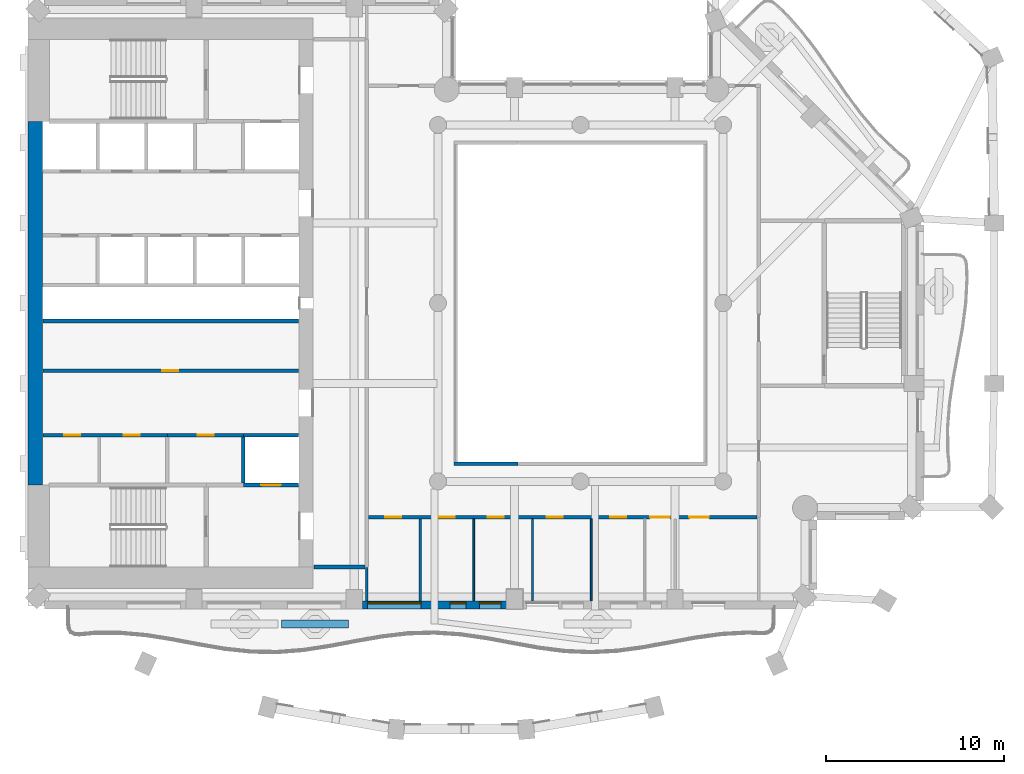
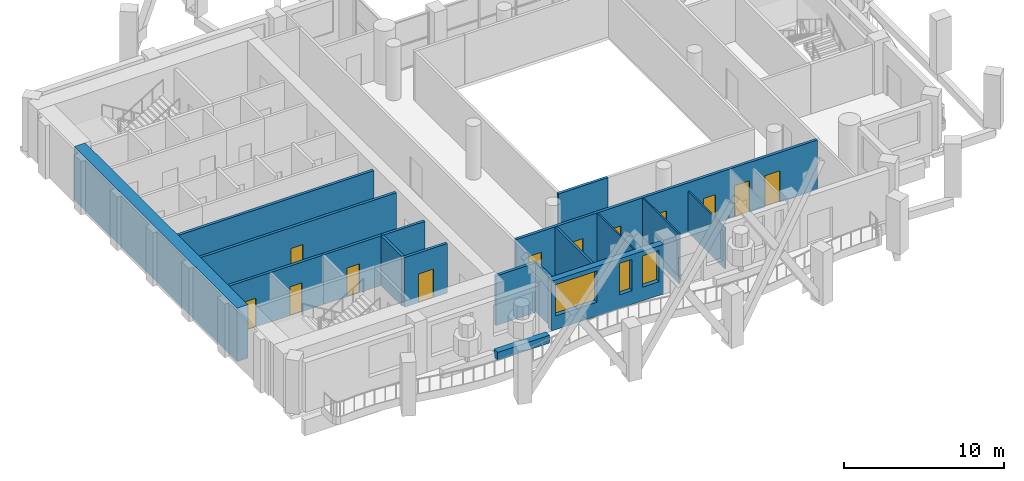
# One storey, part 4 of 16: 18 walls, 12 doors, 3 windows, 15 openings.
"""IFC4 building model written with IfcOpenShell, lengths in metres."""

from ifc_helpers import new_model, si_unit, direction, frame, frame_2d, origin, place, context, subcontext, project, spatial, rectangle, extrude, material, layer, layer_set, type_object, element, fill, save


model = new_model("IFC4")

# Units and contexts
model_context = context("Model", 3, precision=1e-05, world=origin(), true_north=direction((0.0, 1.0)))
body_context = subcontext(model_context, "Body", "Model", "MODEL_VIEW")
ifc_project = project(units=[si_unit("LENGTHUNIT", "METRE"), si_unit("AREAUNIT", "SQUARE_METRE"), si_unit("VOLUMEUNIT", "CUBIC_METRE"), si_unit("PLANEANGLEUNIT", "RADIAN"), si_unit("MASSUNIT", "GRAM", prefix="KILO")], contexts=[model_context])

# Site, building, storey
site_placement = place(None, origin())
site = spatial("IfcSite", under=ifc_project, at=site_placement, CompositionType="ELEMENT")
building_placement = place(site_placement, origin())
building = spatial("IfcBuilding", under=site, at=building_placement, Name="Cypress Arch Tower", CompositionType="ELEMENT")
storey_placement = place(building_placement, frame((0.0, 0.0, 181.0)))
storey = spatial("IfcBuildingStorey", under=building, at=storey_placement, Name="L39", CompositionType="ELEMENT", Elevation=181.0)

# Wall
ifc_material_1 = material(Name="Concrete C40/50, waterproofed", Category="concrete")
ifc_layer_1 = layer(ifc_material_1, 0.449951171875)
ifc_layer_set_1 = layer_set([ifc_layer_1], Name="Balcony planter wall PW450")
wall_type_1 = type_object("IfcWallType", Name="Balcony planter wall PW450", PredefinedType="SOLIDWALL", material=ifc_layer_set_1)
wall_1_placement = place(storey_placement, frame((-15.77001953125, -18.0, 0.0), z_axis=(0.0, 0.0, 1.0), x_axis=(1.0, 0.0, 0.0)))
element("IfcWall", 1, at=wall_1_placement, inside=storey, type_object=wall_type_1, Name="Balcony planter wall L39-B01.2", PredefinedType="SOLIDWALL", context=body_context, shape_type="SweptSolid", body=[
    extrude(rectangle(XDim=3.760009765625, YDim=0.449951171875, at=frame_2d((1.8798828125, 0.0))), origin(), (0.0, 0.0, 1.0), 0.60009765625),
])

# Wall, openings, windows
ifc_material_2 = material(Name="Brick (red buff blend)", Category="masonry")
ifc_layer_2 = layer(ifc_material_2, 0.449951171875)
ifc_layer_set_2 = layer_set([ifc_layer_2], Name="Brick pier and spandrel wall BW450")
wall_type_2 = type_object("IfcWallType", Name="Brick pier and spandrel wall BW450", PredefinedType="SOLIDWALL", material=ifc_layer_set_2)
wall_2_placement = place(storey_placement, frame((-11.25, -16.925048828125, 0.0), z_axis=(0.0, 0.0, 1.0), x_axis=(1.0, 0.0, 0.0)))
wall_2 = element("IfcWall", 2, at=wall_2_placement, inside=storey, type_object=wall_type_2, Name="Brick wall L39 B01.2", PredefinedType="SOLIDWALL", context=body_context, shape_type="SweptSolid", body=[
    extrude(rectangle(XDim=8.10009765625, YDim=0.449951171875, at=frame_2d((4.050048828125, 0.0))), origin(), (0.0, 0.0, 1.0), 3.800048828125),
])
opening_1_placement = place(wall_2_placement, frame((0.300048828125, 0.0, 1.050048828125)))
opening_1 = element("IfcOpeningElement", 3, at=opening_1_placement, cuts=wall_2, Name="Opening W300OD", PredefinedType="OPENING", context=body_context, shape_type="SweptSolid", body=[
    extrude(rectangle(XDim=3.0, YDim=2.39990234375, at=frame_2d((1.5, 1.199951171875))), frame((0.0, 0.23486328125, 0.0), z_axis=(0.0, -1.0, 0.0), x_axis=(1.0, 0.0, 0.0)), (0.0, 0.0, 1.0), 0.469970703125),
])
opening_2_placement = place(wall_2_placement, frame((4.925048828125, 0.0, 1.050048828125)))
opening_2 = element("IfcOpeningElement", 4, at=opening_2_placement, cuts=wall_2, Name="Opening W090OD", PredefinedType="OPENING", context=body_context, shape_type="SweptSolid", body=[
    extrude(rectangle(XDim=0.89990234375, YDim=2.39990234375, at=frame_2d((0.449951171875, 1.199951171875))), frame((0.0, 0.23486328125, 0.0), z_axis=(0.0, -1.0, 0.0), x_axis=(1.0, 0.0, 0.0)), (0.0, 0.0, 1.0), 0.469970703125),
])
opening_3_placement = place(wall_2_placement, frame((6.574951171875, 0.0, 1.050048828125)))
opening_3 = element("IfcOpeningElement", 5, at=opening_3_placement, cuts=wall_2, Name="Opening W120OD", PredefinedType="OPENING", context=body_context, shape_type="SweptSolid", body=[
    extrude(rectangle(XDim=1.199951171875, YDim=2.39990234375, at=frame_2d((0.60009765625, 1.199951171875))), frame((0.0, 0.23486328125, 0.0), z_axis=(0.0, -1.0, 0.0), x_axis=(1.0, 0.0, 0.0)), (0.0, 0.0, 1.0), 0.469970703125),
])
ifc_material_3 = material(Name="Anodised aluminium, bronze finish, laminated low-emissivity double glazing, large-missile impact rated", Category="aluminium")
window_type_1 = type_object("IfcWindowType", Name="Window Office 1200x2400 debris-rated", PartitioningType="SINGLE_PANEL", PredefinedType="WINDOW", material=ifc_material_3)
window_1_placement = place(opening_3_placement, origin())
window_1 = element("IfcWindow", 6, at=window_1_placement, inside=storey, type_object=window_type_1, Name="Window L39 B01.2.2b", OverallHeight=2.39990234375, OverallWidth=1.199951171875, PartitioningType="SINGLE_PANEL", PredefinedType="WINDOW", context=body_context, shape_type="SweptSolid", body=[
    extrude(rectangle(XDim=1.199951171875, YDim=2.39990234375, at=frame_2d((0.60009765625, 1.199951171875))), frame((0.0, 0.135009765625, 0.0), z_axis=(0.0, -1.0, 0.0), x_axis=(1.0, 0.0, 0.0)), (0.0, 0.0, 1.0), 0.06005859375),
])
fill(opening_3, window_1)
ifc_material_4 = material(Name="Anodised aluminium, bronze finish, laminated low-emissivity double glazing, large-missile impact rated", Category="aluminium")
window_type_2 = type_object("IfcWindowType", Name="Window Office 3000x2400 debris-rated", PartitioningType="SINGLE_PANEL", PredefinedType="WINDOW", material=ifc_material_4)
window_2_placement = place(opening_1_placement, origin())
window_2 = element("IfcWindow", 7, at=window_2_placement, inside=storey, type_object=window_type_2, Name="Window L39 B01.2.1", OverallHeight=2.39990234375, OverallWidth=3.0, PartitioningType="SINGLE_PANEL", PredefinedType="WINDOW", context=body_context, shape_type="SweptSolid", body=[
    extrude(rectangle(XDim=3.0, YDim=2.39990234375, at=frame_2d((1.5, 1.199951171875))), frame((0.0, 0.135009765625, 0.0), z_axis=(0.0, -1.0, 0.0), x_axis=(1.0, 0.0, 0.0)), (0.0, 0.0, 1.0), 0.06005859375),
])
fill(opening_1, window_2)
ifc_material_5 = material(Name="Anodised aluminium, bronze finish, laminated low-emissivity double glazing, large-missile impact rated", Category="aluminium")
window_type_3 = type_object("IfcWindowType", Name="Window Office 900x2400 debris-rated", PartitioningType="SINGLE_PANEL", PredefinedType="WINDOW", material=ifc_material_5)
window_3_placement = place(opening_2_placement, origin())
window_3 = element("IfcWindow", 8, at=window_3_placement, inside=storey, type_object=window_type_3, Name="Window L39 B01.2.2", OverallHeight=2.39990234375, OverallWidth=0.89990234375, PartitioningType="SINGLE_PANEL", PredefinedType="WINDOW", context=body_context, shape_type="SweptSolid", body=[
    extrude(rectangle(XDim=0.89990234375, YDim=2.39990234375, at=frame_2d((0.449951171875, 1.199951171875))), frame((0.0, 0.135009765625, 0.0), z_axis=(0.0, -1.0, 0.0), x_axis=(1.0, 0.0, 0.0)), (0.0, 0.0, 1.0), 0.06005859375),
])
fill(opening_2, window_3)

# Wall
ifc_material_6 = material(Name="Concrete C70/85", Category="concrete")
ifc_layer_3 = layer(ifc_material_6, 0.800048828125)
ifc_layer_set_3 = layer_set([ifc_layer_3], Name="Core wall CW800 C70/85")
wall_type_3 = type_object("IfcWallType", Name="Core wall CW800 C70/85", PredefinedType="SHEAR", material=ifc_layer_set_3)
wall_3_placement = place(storey_placement, frame((-29.60009765625, -10.199951171875, 0.0), z_axis=(0.0, 0.0, 1.0), x_axis=(0.0, 1.0, 0.0)))
element("IfcWall", 9, at=wall_3_placement, inside=storey, type_object=wall_type_3, Name="Core wall", PredefinedType="SHEAR", context=body_context, shape_type="SweptSolid", body=[
    extrude(rectangle(XDim=20.39990234375, YDim=0.800048828125, at=frame_2d((10.199951171875, 0.0))), origin(), (0.0, 0.0, 1.0), 4.10009765625),
])

# Wall, openings, doors
ifc_material_7 = material(Name="Concrete blockwork, plastered, rated", Category="masonry")
ifc_layer_4 = layer(ifc_material_7, 0.199951171875)
ifc_layer_set_4 = layer_set([ifc_layer_4], Name="Corridor wall FW200")
wall_type_4 = type_object("IfcWallType", Name="Corridor wall FW200", PredefinedType="PARTITIONING", material=ifc_layer_set_4)
wall_4_placement = place(storey_placement, frame((-29.169921875, -7.39990234375, 0.0), z_axis=(0.0, 0.0, 1.0), x_axis=(1.0, 0.0, 0.0)))
wall_4 = element("IfcWall", 10, at=wall_4_placement, inside=storey, type_object=wall_type_4, Name="Corridor wall", PredefinedType="PARTITIONING", context=body_context, shape_type="SweptSolid", body=[
    extrude(rectangle(XDim=6.989990234375, YDim=0.199951171875, at=frame_2d((3.4951171875, 0.0))), origin(), (0.0, 0.0, 1.0), 3.800048828125),
])
opening_4_placement = place(wall_4_placement, frame((1.199951171875, 0.0, 0.0)))
opening_4 = element("IfcOpeningElement", 11, at=opening_4_placement, cuts=wall_4, Name="Opening D05", PredefinedType="OPENING", context=body_context, shape_type="SweptSolid", body=[
    extrude(rectangle(XDim=0.89990234375, YDim=2.199951171875, at=frame_2d((0.449951171875, 1.10009765625))), frame((0.0, 0.10986328125, 0.0), z_axis=(0.0, -1.0, 0.0), x_axis=(1.0, 0.0, 0.0)), (0.0, 0.0, 1.0), 0.219970703125),
])
opening_5_placement = place(wall_4_placement, frame((4.550048828125, 0.0, 0.0)))
opening_5 = element("IfcOpeningElement", 12, at=opening_5_placement, cuts=wall_4, Name="Opening D05", PredefinedType="OPENING", context=body_context, shape_type="SweptSolid", body=[
    extrude(rectangle(XDim=0.89990234375, YDim=2.199951171875, at=frame_2d((0.449951171875, 1.10009765625))), frame((0.0, 0.10986328125, 0.0), z_axis=(0.0, -1.0, 0.0), x_axis=(1.0, 0.0, 0.0)), (0.0, 0.0, 1.0), 0.219970703125),
])
ifc_material_8 = material(Name="Timber flush door", Category="wood")
door_type_1 = type_object("IfcDoorType", Name="Service door D05 900x2200", OperationType="SINGLE_SWING_LEFT", PredefinedType="DOOR", material=ifc_material_8)
door_1_placement = place(opening_4_placement, origin())
door_1 = element("IfcDoor", 13, at=door_1_placement, inside=storey, type_object=door_type_1, Name="Service door", OperationType="SINGLE_SWING_LEFT", OverallHeight=2.199951171875, OverallWidth=0.89990234375, PredefinedType="DOOR", context=body_context, shape_type="SweptSolid", body=[
    extrude(rectangle(XDim=0.89990234375, YDim=2.199951171875, at=frame_2d((0.449951171875, 1.10009765625))), frame((0.0, 0.02490234375, 0.0), z_axis=(0.0, -1.0, 0.0), x_axis=(1.0, 0.0, 0.0)), (0.0, 0.0, 1.0), 0.050048828125),
])
fill(opening_4, door_1)
door_2_placement = place(opening_5_placement, origin())
door_2 = element("IfcDoor", 14, at=door_2_placement, inside=storey, type_object=door_type_1, Name="Service door", OperationType="SINGLE_SWING_RIGHT", OverallHeight=2.199951171875, OverallWidth=0.89990234375, PredefinedType="DOOR", context=body_context, shape_type="SweptSolid", body=[
    extrude(rectangle(XDim=0.89990234375, YDim=2.199951171875, at=frame_2d((0.449951171875, 1.10009765625))), frame((0.0, 0.02490234375, 0.0), z_axis=(0.0, -1.0, 0.0), x_axis=(1.0, 0.0, 0.0)), (0.0, 0.0, 1.0), 0.050048828125),
])
fill(opening_5, door_2)

# Wall, opening, door
wall_5_placement = place(storey_placement, frame((-29.169921875, -3.800048828125, 0.0), z_axis=(0.0, 0.0, 1.0), x_axis=(1.0, 0.0, 0.0)))
wall_5 = element("IfcWall", 15, at=wall_5_placement, inside=storey, type_object=wall_type_4, Name="Corridor wall", PredefinedType="PARTITIONING", context=body_context, shape_type="SweptSolid", body=[
    extrude(rectangle(XDim=14.33984375, YDim=0.199951171875, at=frame_2d((7.169921875, 0.0))), origin(), (0.0, 0.0, 1.0), 3.800048828125),
])
opening_6_placement = place(wall_5_placement, frame((6.699951171875, 0.0, 0.0)))
opening_6 = element("IfcOpeningElement", 16, at=opening_6_placement, cuts=wall_5, Name="Opening D05", PredefinedType="OPENING", context=body_context, shape_type="SweptSolid", body=[
    extrude(rectangle(XDim=0.89990234375, YDim=2.199951171875, at=frame_2d((0.449951171875, 1.10009765625))), frame((0.0, 0.10986328125, 0.0), z_axis=(0.0, -1.0, 0.0), x_axis=(1.0, 0.0, 0.0)), (0.0, 0.0, 1.0), 0.219970703125),
])
door_3_placement = place(opening_6_placement, origin())
door_3 = element("IfcDoor", 17, at=door_3_placement, inside=storey, type_object=door_type_1, Name="Service door", OperationType="SINGLE_SWING_LEFT", OverallHeight=2.199951171875, OverallWidth=0.89990234375, PredefinedType="DOOR", context=body_context, shape_type="SweptSolid", body=[
    extrude(rectangle(XDim=0.89990234375, YDim=2.199951171875, at=frame_2d((0.449951171875, 1.10009765625))), frame((0.0, 0.02490234375, 0.0), z_axis=(0.0, -1.0, 0.0), x_axis=(1.0, 0.0, 0.0)), (0.0, 0.0, 1.0), 0.050048828125),
])
fill(opening_6, door_3)

# Wall
wall_6_placement = place(storey_placement, frame((-13.969970703125, -14.800048828125, 0.0), z_axis=(0.0, 0.0, 1.0), x_axis=(1.0, 0.0, 0.0)))
element("IfcWall", 18, at=wall_6_placement, inside=storey, type_object=wall_type_4, Name="Corridor wall", PredefinedType="PARTITIONING", context=body_context, shape_type="SweptSolid", body=[
    extrude(rectangle(XDim=2.869873046875, YDim=0.199951171875, at=frame_2d((1.43505859375, 0.0))), origin(), (0.0, 0.0, 1.0), 3.800048828125),
])

# Wall, openings, doors
wall_7_placement = place(storey_placement, frame((-10.89990234375, -12.0, 0.0), z_axis=(0.0, 0.0, 1.0), x_axis=(1.0, 0.0, 0.0)))
wall_7 = element("IfcWall", 19, at=wall_7_placement, inside=storey, type_object=wall_type_4, Name="Corridor wall", PredefinedType="PARTITIONING", context=body_context, shape_type="SweptSolid", body=[
    extrude(rectangle(XDim=21.7998046875, YDim=0.199951171875, at=frame_2d((10.89990234375, 0.0))), origin(), (0.0, 0.0, 1.0), 3.800048828125),
])
opening_7_placement = place(wall_7_placement, frame((0.949951171875, 0.0, 0.0)))
opening_7 = element("IfcOpeningElement", 20, at=opening_7_placement, cuts=wall_7, Name="Opening D05", PredefinedType="OPENING", context=body_context, shape_type="SweptSolid", body=[
    extrude(rectangle(XDim=0.89990234375, YDim=2.199951171875, at=frame_2d((0.449951171875, 1.10009765625))), frame((0.0, 0.10986328125, 0.0), z_axis=(0.0, -1.0, 0.0), x_axis=(1.0, 0.0, 0.0)), (0.0, 0.0, 1.0), 0.219970703125),
])
opening_8_placement = place(wall_7_placement, frame((3.949951171875, 0.0, 0.0)))
opening_8 = element("IfcOpeningElement", 21, at=opening_8_placement, cuts=wall_7, Name="Opening D05", PredefinedType="OPENING", context=body_context, shape_type="SweptSolid", body=[
    extrude(rectangle(XDim=0.89990234375, YDim=2.199951171875, at=frame_2d((0.449951171875, 1.10009765625))), frame((0.0, 0.10986328125, 0.0), z_axis=(0.0, -1.0, 0.0), x_axis=(1.0, 0.0, 0.0)), (0.0, 0.0, 1.0), 0.219970703125),
])
opening_9_placement = place(wall_7_placement, frame((6.699951171875, 0.0, 0.0)))
opening_9 = element("IfcOpeningElement", 22, at=opening_9_placement, cuts=wall_7, Name="Opening D03", PredefinedType="OPENING", context=body_context, shape_type="SweptSolid", body=[
    extrude(rectangle(XDim=0.89990234375, YDim=2.199951171875, at=frame_2d((0.449951171875, 1.10009765625))), frame((0.0, 0.10986328125, 0.0), z_axis=(0.0, -1.0, 0.0), x_axis=(1.0, 0.0, 0.0)), (0.0, 0.0, 1.0), 0.219970703125),
])
opening_10_placement = place(wall_7_placement, frame((10.0, 0.0, 0.0)))
opening_10 = element("IfcOpeningElement", 23, at=opening_10_placement, cuts=wall_7, Name="Opening D03", PredefinedType="OPENING", context=body_context, shape_type="SweptSolid", body=[
    extrude(rectangle(XDim=0.89990234375, YDim=2.199951171875, at=frame_2d((0.449951171875, 1.10009765625))), frame((0.0, 0.10986328125, 0.0), z_axis=(0.0, -1.0, 0.0), x_axis=(1.0, 0.0, 0.0)), (0.0, 0.0, 1.0), 0.219970703125),
])
opening_11_placement = place(wall_7_placement, frame((13.550048828125, 0.0, 0.0)))
opening_11 = element("IfcOpeningElement", 24, at=opening_11_placement, cuts=wall_7, Name="Opening D03", PredefinedType="OPENING", context=body_context, shape_type="SweptSolid", body=[
    extrude(rectangle(XDim=0.89990234375, YDim=2.199951171875, at=frame_2d((0.449951171875, 1.10009765625))), frame((0.0, 0.10986328125, 0.0), z_axis=(0.0, -1.0, 0.0), x_axis=(1.0, 0.0, 0.0)), (0.0, 0.0, 1.0), 0.219970703125),
])
opening_12_placement = place(wall_7_placement, frame((15.800048828125, 0.0, 0.0)))
opening_12 = element("IfcOpeningElement", 25, at=opening_12_placement, cuts=wall_7, Name="Opening D01", PredefinedType="OPENING", context=body_context, shape_type="SweptSolid", body=[
    extrude(rectangle(XDim=1.10009765625, YDim=2.39990234375, at=frame_2d((0.550048828125, 1.199951171875))), frame((0.0, 0.10986328125, 0.0), z_axis=(0.0, -1.0, 0.0), x_axis=(1.0, 0.0, 0.0)), (0.0, 0.0, 1.0), 0.219970703125),
])
opening_13_placement = place(wall_7_placement, frame((18.0, 0.0, 0.0)))
opening_13 = element("IfcOpeningElement", 26, at=opening_13_placement, cuts=wall_7, Name="Opening D01", PredefinedType="OPENING", context=body_context, shape_type="SweptSolid", body=[
    extrude(rectangle(XDim=1.10009765625, YDim=2.39990234375, at=frame_2d((0.550048828125, 1.199951171875))), frame((0.0, 0.10986328125, 0.0), z_axis=(0.0, -1.0, 0.0), x_axis=(1.0, 0.0, 0.0)), (0.0, 0.0, 1.0), 0.219970703125),
])
ifc_material_9 = material(Name="Timber flush door, moisture resistant", Category="wood")
door_type_2 = type_object("IfcDoorType", Name="Bathroom door D03 900x2200", OperationType="SINGLE_SWING_LEFT", PredefinedType="DOOR", material=ifc_material_9)
door_4_placement = place(opening_9_placement, origin())
door_4 = element("IfcDoor", 27, at=door_4_placement, inside=storey, type_object=door_type_2, Name="Bathroom door", OperationType="SINGLE_SWING_RIGHT", OverallHeight=2.199951171875, OverallWidth=0.89990234375, PredefinedType="DOOR", context=body_context, shape_type="SweptSolid", body=[
    extrude(rectangle(XDim=0.89990234375, YDim=2.199951171875, at=frame_2d((0.449951171875, 1.10009765625))), frame((0.0, 0.02490234375, 0.0), z_axis=(0.0, -1.0, 0.0), x_axis=(1.0, 0.0, 0.0)), (0.0, 0.0, 1.0), 0.050048828125),
])
fill(opening_9, door_4)
door_5_placement = place(opening_10_placement, origin())
door_5 = element("IfcDoor", 28, at=door_5_placement, inside=storey, type_object=door_type_2, Name="Bathroom door", OperationType="SINGLE_SWING_RIGHT", OverallHeight=2.199951171875, OverallWidth=0.89990234375, PredefinedType="DOOR", context=body_context, shape_type="SweptSolid", body=[
    extrude(rectangle(XDim=0.89990234375, YDim=2.199951171875, at=frame_2d((0.449951171875, 1.10009765625))), frame((0.0, 0.02490234375, 0.0), z_axis=(0.0, -1.0, 0.0), x_axis=(1.0, 0.0, 0.0)), (0.0, 0.0, 1.0), 0.050048828125),
])
fill(opening_10, door_5)
door_6_placement = place(opening_11_placement, origin())
door_6 = element("IfcDoor", 29, at=door_6_placement, inside=storey, type_object=door_type_2, Name="Bathroom door", OperationType="SINGLE_SWING_RIGHT", OverallHeight=2.199951171875, OverallWidth=0.89990234375, PredefinedType="DOOR", context=body_context, shape_type="SweptSolid", body=[
    extrude(rectangle(XDim=0.89990234375, YDim=2.199951171875, at=frame_2d((0.449951171875, 1.10009765625))), frame((0.0, 0.02490234375, 0.0), z_axis=(0.0, -1.0, 0.0), x_axis=(1.0, 0.0, 0.0)), (0.0, 0.0, 1.0), 0.050048828125),
])
fill(opening_11, door_6)
door_7_placement = place(opening_7_placement, origin())
door_7 = element("IfcDoor", 30, at=door_7_placement, inside=storey, type_object=door_type_1, Name="Service door", OperationType="SINGLE_SWING_RIGHT", OverallHeight=2.199951171875, OverallWidth=0.89990234375, PredefinedType="DOOR", context=body_context, shape_type="SweptSolid", body=[
    extrude(rectangle(XDim=0.89990234375, YDim=2.199951171875, at=frame_2d((0.449951171875, 1.10009765625))), frame((0.0, 0.02490234375, 0.0), z_axis=(0.0, -1.0, 0.0), x_axis=(1.0, 0.0, 0.0)), (0.0, 0.0, 1.0), 0.050048828125),
])
fill(opening_7, door_7)
door_8_placement = place(opening_8_placement, origin())
door_8 = element("IfcDoor", 31, at=door_8_placement, inside=storey, type_object=door_type_1, Name="Service door", OperationType="SINGLE_SWING_RIGHT", OverallHeight=2.199951171875, OverallWidth=0.89990234375, PredefinedType="DOOR", context=body_context, shape_type="SweptSolid", body=[
    extrude(rectangle(XDim=0.89990234375, YDim=2.199951171875, at=frame_2d((0.449951171875, 1.10009765625))), frame((0.0, 0.02490234375, 0.0), z_axis=(0.0, -1.0, 0.0), x_axis=(1.0, 0.0, 0.0)), (0.0, 0.0, 1.0), 0.050048828125),
])
fill(opening_8, door_8)
ifc_material_10 = material(Name="Timber flush door, fire resisting, self-closing", Category="wood")
door_type_3 = type_object("IfcDoorType", Name="Unit entrance door D01 1100x2400", OperationType="SINGLE_SWING_LEFT", PredefinedType="DOOR", material=ifc_material_10)
door_9_placement = place(opening_12_placement, origin())
door_9 = element("IfcDoor", 32, at=door_9_placement, inside=storey, type_object=door_type_3, Name="Unit entrance door", OperationType="SINGLE_SWING_LEFT", OverallHeight=2.39990234375, OverallWidth=1.10009765625, PredefinedType="DOOR", context=body_context, shape_type="SweptSolid", body=[
    extrude(rectangle(XDim=1.10009765625, YDim=2.39990234375, at=frame_2d((0.550048828125, 1.199951171875))), frame((0.0, 0.02490234375, 0.0), z_axis=(0.0, -1.0, 0.0), x_axis=(1.0, 0.0, 0.0)), (0.0, 0.0, 1.0), 0.050048828125),
])
fill(opening_12, door_9)
door_10_placement = place(opening_13_placement, origin())
door_10 = element("IfcDoor", 33, at=door_10_placement, inside=storey, type_object=door_type_3, Name="Unit entrance door", OperationType="SINGLE_SWING_RIGHT", OverallHeight=2.39990234375, OverallWidth=1.10009765625, PredefinedType="DOOR", context=body_context, shape_type="SweptSolid", body=[
    extrude(rectangle(XDim=1.10009765625, YDim=2.39990234375, at=frame_2d((0.550048828125, 1.199951171875))), frame((0.0, 0.02490234375, 0.0), z_axis=(0.0, -1.0, 0.0), x_axis=(1.0, 0.0, 0.0)), (0.0, 0.0, 1.0), 0.050048828125),
])
fill(opening_13, door_10)

# Walls
wall_8_placement = place(storey_placement, frame((-6.10009765625, -9.0, 0.0), z_axis=(0.0, 0.0, 1.0), x_axis=(1.0, 0.0, 0.0)))
element("IfcWall", 34, at=wall_8_placement, inside=storey, type_object=wall_type_4, Name="Corridor wall", PredefinedType="PARTITIONING", context=body_context, shape_type="SweptSolid", body=[
    extrude(rectangle(XDim=3.580078125, YDim=0.199951171875, at=frame_2d((1.7900390625, 0.0))), origin(), (0.0, 0.0, 1.0), 3.800048828125),
])
ifc_material_11 = material(Name="Blockwork, plastered both sides", Category="masonry")
ifc_layer_5 = layer(ifc_material_11, 0.14990234375)
ifc_layer_set_5 = layer_set([ifc_layer_5], Name="Partition PW150")
wall_type_5 = type_object("IfcWallType", Name="Partition PW150", PredefinedType="PARTITIONING", material=ifc_layer_set_5)
wall_9_placement = place(storey_placement, frame((-11.0, -16.699951171875, 0.0), z_axis=(0.0, 0.0, 1.0), x_axis=(0.0, 1.0, 0.0)))
element("IfcWall", 35, at=wall_9_placement, inside=storey, type_object=wall_type_5, Name="Partition", PredefinedType="PARTITIONING", context=body_context, shape_type="SweptSolid", body=[
    extrude(rectangle(XDim=1.8798828125, YDim=0.14990234375, at=frame_2d((0.93994140625, 0.0))), origin(), (0.0, 0.0, 1.0), 3.800048828125),
])
wall_10_placement = place(storey_placement, frame((-8.0, -16.699951171875, 0.0), z_axis=(0.0, 0.0, 1.0), x_axis=(0.0, 1.0, 0.0)))
element("IfcWall", 36, at=wall_10_placement, inside=storey, type_object=wall_type_5, Name="Partition", PredefinedType="PARTITIONING", context=body_context, shape_type="SweptSolid", body=[
    extrude(rectangle(XDim=4.599853515625, YDim=0.14990234375, at=frame_2d((2.2998046875, 0.0))), origin(), (0.0, 0.0, 1.0), 3.800048828125),
])
ifc_material_12 = material(Name="Reinforced blockwork, plastered, rated", Category="masonry")
ifc_layer_6 = layer(ifc_material_12, 0.199951171875)
ifc_layer_set_6 = layer_set([ifc_layer_6], Name="Plant and riser wall PL200")
wall_type_6 = type_object("IfcWallType", Name="Plant and riser wall PL200", PredefinedType="PARTITIONING", material=ifc_layer_set_6)
wall_11_placement = place(storey_placement, frame((-29.169921875, -1.0, 0.0), z_axis=(0.0, 0.0, 1.0), x_axis=(1.0, 0.0, 0.0)))
element("IfcWall", 37, at=wall_11_placement, inside=storey, type_object=wall_type_6, Name="Plant and riser wall", PredefinedType="PARTITIONING", context=body_context, shape_type="SweptSolid", body=[
    extrude(rectangle(XDim=14.33984375, YDim=0.199951171875, at=frame_2d((7.169921875, 0.0))), origin(), (0.0, 0.0, 1.0), 3.800048828125),
])

# Wall, opening, door
wall_12_placement = place(storey_placement, frame((-22.179931640625, -7.39990234375, 0.0), z_axis=(0.0, 0.0, 1.0), x_axis=(1.0, 0.0, 0.0)))
wall_12 = element("IfcWall", 38, at=wall_12_placement, inside=storey, type_object=wall_type_6, Name="Plant and riser wall", PredefinedType="PARTITIONING", context=body_context, shape_type="SweptSolid", body=[
    extrude(rectangle(XDim=4.280029296875, YDim=0.199951171875, at=frame_2d((2.14013671875, 0.0))), origin(), (0.0, 0.0, 1.0), 3.800048828125),
])
opening_14_placement = place(wall_12_placement, frame((1.699951171875, 0.0, 0.0)))
opening_14 = element("IfcOpeningElement", 39, at=opening_14_placement, cuts=wall_12, Name="Opening D05", PredefinedType="OPENING", context=body_context, shape_type="SweptSolid", body=[
    extrude(rectangle(XDim=0.89990234375, YDim=2.199951171875, at=frame_2d((0.449951171875, 1.10009765625))), frame((0.0, 0.10986328125, 0.0), z_axis=(0.0, -1.0, 0.0), x_axis=(1.0, 0.0, 0.0)), (0.0, 0.0, 1.0), 0.219970703125),
])
door_11_placement = place(opening_14_placement, origin())
door_11 = element("IfcDoor", 40, at=door_11_placement, inside=storey, type_object=door_type_1, Name="Service door", OperationType="SINGLE_SWING_LEFT", OverallHeight=2.199951171875, OverallWidth=0.89990234375, PredefinedType="DOOR", context=body_context, shape_type="SweptSolid", body=[
    extrude(rectangle(XDim=0.89990234375, YDim=2.199951171875, at=frame_2d((0.449951171875, 1.10009765625))), frame((0.0, 0.02490234375, 0.0), z_axis=(0.0, -1.0, 0.0), x_axis=(1.0, 0.0, 0.0)), (0.0, 0.0, 1.0), 0.050048828125),
])
fill(opening_14, door_11)

# Wall
ifc_material_13 = material(Name="Concrete C50/60", Category="concrete")
ifc_layer_7 = layer(ifc_material_13, 0.199951171875)
ifc_layer_set_7 = layer_set([ifc_layer_7], Name="Shaft wall SH200")
wall_type_7 = type_object("IfcWallType", Name="Shaft wall SH200", PredefinedType="SHEAR", material=ifc_layer_set_7)
wall_13_placement = place(storey_placement, frame((-17.919921875, -10.10009765625, 0.0), z_axis=(0.0, 0.0, 1.0), x_axis=(0.0, 1.0, 0.0)))
element("IfcWall", 41, at=wall_13_placement, inside=storey, type_object=wall_type_7, Name="Shaft wall", PredefinedType="SHEAR", context=body_context, shape_type="SweptSolid", body=[
    extrude(rectangle(XDim=2.60009765625, YDim=0.199951171875, at=frame_2d((1.300048828125, 0.0))), origin(), (0.0, 0.0, 1.0), 3.800048828125),
])

# Wall, opening, door
wall_14_placement = place(storey_placement, frame((-17.919921875, -10.199951171875, 0.0), z_axis=(0.0, 0.0, 1.0), x_axis=(1.0, 0.0, 0.0)))
wall_14 = element("IfcWall", 42, at=wall_14_placement, inside=storey, type_object=wall_type_7, Name="Shaft wall", PredefinedType="SHEAR", context=body_context, shape_type="SweptSolid", body=[
    extrude(rectangle(XDim=3.08984375, YDim=0.199951171875, at=frame_2d((1.544921875, 0.0))), origin(), (0.0, 0.0, 1.0), 3.800048828125),
])
opening_15_placement = place(wall_14_placement, frame((1.0, 0.0, 0.0)))
opening_15 = element("IfcOpeningElement", 43, at=opening_15_placement, cuts=wall_14, Name="Opening LD-FL1", PredefinedType="OPENING", context=body_context, shape_type="SweptSolid", body=[
    extrude(rectangle(XDim=1.10009765625, YDim=2.199951171875, at=frame_2d((0.550048828125, 1.10009765625))), frame((0.0, 0.10986328125, 0.0), z_axis=(0.0, -1.0, 0.0), x_axis=(1.0, 0.0, 0.0)), (0.0, 0.0, 1.0), 0.219970703125),
])
ifc_material_14 = material(Name="Stainless steel centre-opening landing door, rated", Category="steel")
door_type_4 = type_object("IfcDoorType", Name="Lift landing door LD 1100x2200", OperationType="DOUBLE_DOOR_SLIDING", PredefinedType="DOOR", material=ifc_material_14)
door_12_placement = place(opening_15_placement, origin())
door_12 = element("IfcDoor", 44, at=door_12_placement, inside=storey, type_object=door_type_4, Name="Lift landing doors FL1", OperationType="DOUBLE_DOOR_SLIDING", OverallHeight=2.199951171875, OverallWidth=1.10009765625, PredefinedType="DOOR", context=body_context, shape_type="SweptSolid", body=[
    extrude(rectangle(XDim=1.10009765625, YDim=2.199951171875, at=frame_2d((0.550048828125, 1.10009765625))), frame((0.0, 0.02490234375, 0.0), z_axis=(0.0, -1.0, 0.0), x_axis=(1.0, 0.0, 0.0)), (0.0, 0.0, 1.0), 0.050048828125),
])
fill(opening_15, door_12)

# Walls
wall_15_placement = place(storey_placement, frame((-17.89990234375, -7.39990234375, 0.0), z_axis=(0.0, 0.0, 1.0), x_axis=(1.0, 0.0, 0.0)))
element("IfcWall", 45, at=wall_15_placement, inside=storey, type_object=wall_type_7, Name="Shaft wall", PredefinedType="SHEAR", context=body_context, shape_type="SweptSolid", body=[
    extrude(rectangle(XDim=3.06982421875, YDim=0.199951171875, at=frame_2d((1.534912109375, 0.0))), origin(), (0.0, 0.0, 1.0), 3.800048828125),
])
ifc_material_15 = material(Name="Moisture resistant board on steel studs, tiled", Category="steel")
ifc_layer_8 = layer(ifc_material_15, 0.10009765625)
ifc_layer_set_8 = layer_set([ifc_layer_8], Name="Wet wall PW100")
wall_type_8 = type_object("IfcWallType", Name="Wet wall PW100", PredefinedType="PARTITIONING", material=ifc_layer_set_8)
for number, where, z_axis, x_axis, name in (
    (46, (-5.0, -16.699951171875, 0.0), (0.0, 0.0, 1.0), (0.0, 1.0, 0.0), "Wet wall"),
    (47, (-1.698974609375, -16.699951171875, 0.0), (0.0, 0.0, 1.0), (0.0, 1.0, 0.0), "Wet wall"),
):
    element("IfcWall", number, at=place(storey_placement, frame(where, z_axis=z_axis, x_axis=x_axis)), inside=storey, type_object=wall_type_8, Name=name, PredefinedType="PARTITIONING", context=body_context, shape_type="SweptSolid", body=[
        extrude(rectangle(XDim=4.599853515625, YDim=0.10009765625, at=frame_2d((2.2998046875, 0.0))), origin(), (0.0, 0.0, 1.0), 3.800048828125),
    ])
wall_16_placement = place(storey_placement, frame((1.60107421875, -16.699951171875, 0.0), z_axis=(0.0, 0.0, 1.0), x_axis=(0.0, 1.0, 0.0)))
element("IfcWall", 48, at=wall_16_placement, inside=storey, type_object=wall_type_8, Name="Wet wall", PredefinedType="PARTITIONING", context=body_context, shape_type="SweptSolid", body=[
    extrude(rectangle(XDim=4.599853515625, YDim=0.10009765625, at=frame_2d((2.2998046875, 0.0))), origin(), (0.0, 0.0, 1.0), 3.14990234375),
])

save(model, "model.ifc")
